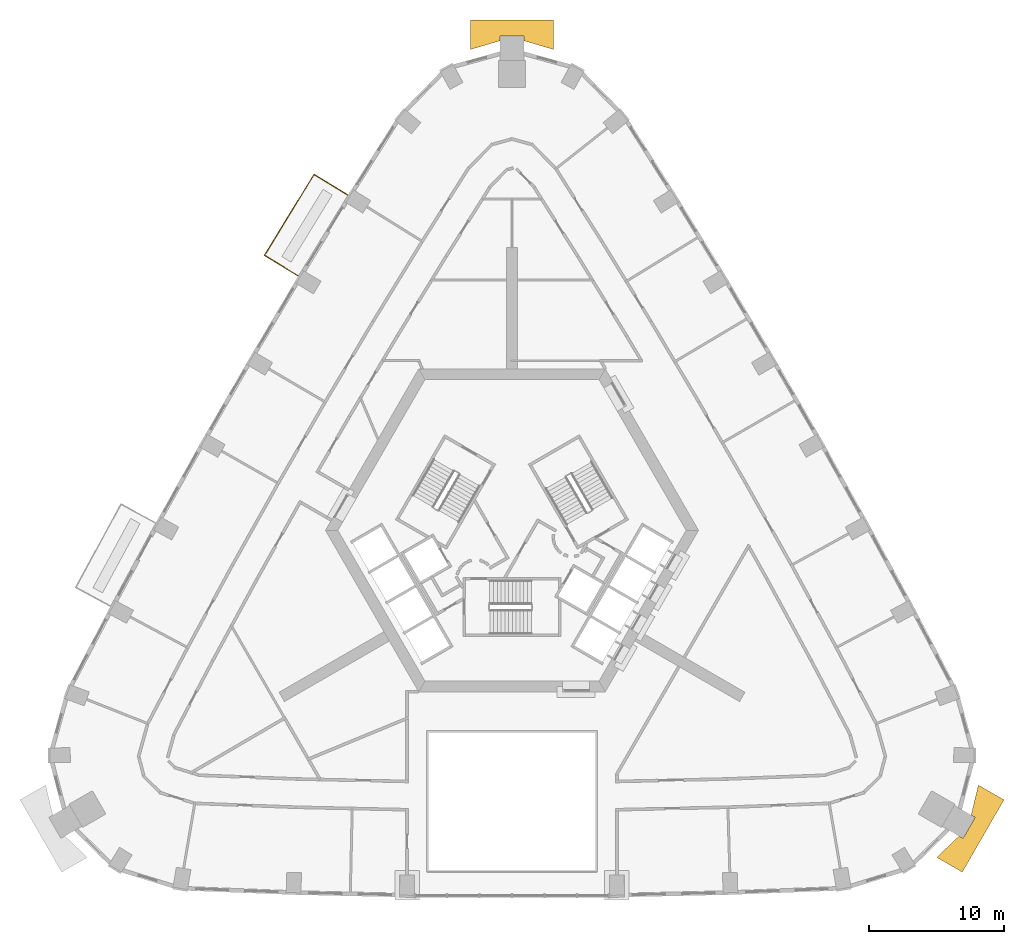
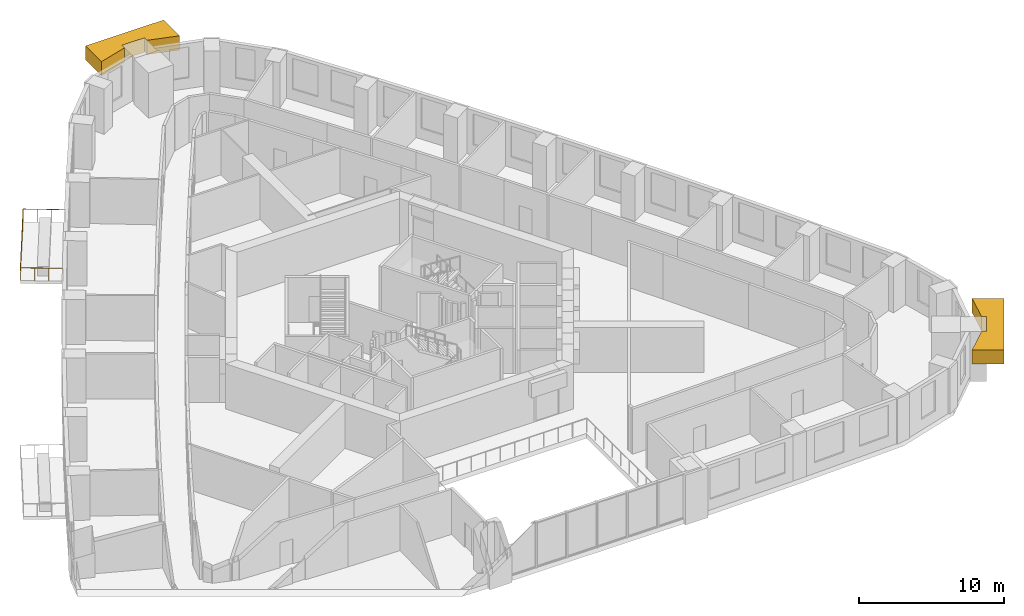
# One storey, part 14 of 14: 2 coverings, 1 railing.
"""IFC4 building model written with IfcOpenShell, lengths in metres."""

import ifcopenshell
import ifcopenshell.guid

model = None  # the IFC model being written
_history = None  # IfcOwnerHistory: only IFC2X3 demands one
_inside = {}  # id of a spatial element -> (the spatial element, [elements in it])
_under = {}  # id of a project, library or spatial element -> (it, [spatial elements below it])
_declared = {}  # id of a project -> (the project, [libraries it declares])
_typed = {}  # id of a type object -> (the type object, [elements of that type])
_made_of = {}  # id of a material, layer set ... -> (it, [elements and type objects made of it])


def new_model(schema):
    """Start an empty IFC model of exactly this schema.

    Asked for "IFC4X3", IfcOpenShell would pick the latest addendum, in which some entities
    have other attributes; the version numbers below select the first issue.
    IFC2X3 requires an IfcOwnerHistory on every rooted entity: one is made here for all.
    """
    global model, _history
    if schema == "IFC4X3":
        model = ifcopenshell.file(schema_version=(4, 3, 0, 0))
    else:
        model = ifcopenshell.file(schema=schema)
    _inside.clear()
    _under.clear()
    _declared.clear()
    _typed.clear()
    _made_of.clear()
    _history = None
    if model.schema == "IFC2X3":
        org = make("IfcOrganization", Name="unknown")
        user = make(
            "IfcPersonAndOrganization",
            ThePerson=make("IfcPerson", FamilyName="unknown"),
            TheOrganization=org,
        )
        app = make(
            "IfcApplication",
            ApplicationDeveloper=org,
            Version="unknown",
            ApplicationFullName="unknown",
            ApplicationIdentifier="unknown",
        )
        _history = make(
            "IfcOwnerHistory",
            OwningUser=user,
            OwningApplication=app,
            ChangeAction="ADDED",
            CreationDate=0,
        )
    return model


def make(cls, **values):
    """One entity of the class cls with the attributes given. An attribute that is None is left unset."""
    return model.create_entity(
        cls, **{name: value for name, value in values.items() if value is not None}
    )


def rooted(cls, **values):
    """An entity with a GlobalId (a new one), such as an element, a storey or a relation."""
    return make(cls, GlobalId=ifcopenshell.guid.new(), OwnerHistory=_history, **values)


def si_unit(unit_type, name, prefix=None):
    """IfcSIUnit, for example si_unit("LENGTHUNIT", "METRE", prefix="MILLI")."""
    return make("IfcSIUnit", UnitType=unit_type, Prefix=prefix, Name=name)


def assignment(units):
    """IfcUnitAssignment: the units of a project."""
    return None if units is None else make("IfcUnitAssignment", Units=units)


def point(xyz):
    """IfcCartesianPoint."""
    return None if xyz is None else make("IfcCartesianPoint", Coordinates=xyz)


def direction(xyz):
    """IfcDirection."""
    return None if xyz is None else make("IfcDirection", DirectionRatios=xyz)


def frame(location, z_axis=None, x_axis=None):
    """IfcAxis2Placement3D, a coordinate frame: its origin and axes. An axis left out is left unset."""
    return make(
        "IfcAxis2Placement3D",
        Location=point(location),
        Axis=direction(z_axis),
        RefDirection=direction(x_axis),
    )


def frame_2d(location, x_axis=None):
    """IfcAxis2Placement2D, a coordinate frame in the plane: its origin and x axis."""
    return make(
        "IfcAxis2Placement2D", Location=point(location), RefDirection=direction(x_axis)
    )


def origin():
    """The frame at (0, 0, 0) with its axes left unset."""
    return frame((0.0, 0.0, 0.0))


def origin_2d():
    """The frame at (0, 0) in the plane with its x axis left unset."""
    return frame_2d((0.0, 0.0))


def place(relative_to, where):
    """IfcLocalPlacement: puts the frame where relative to a parent placement (None: the world)."""
    return make(
        "IfcLocalPlacement", PlacementRelTo=relative_to, RelativePlacement=where
    )


def context(
    kind, dimensions, precision=None, world=None, true_north=None, identifier=None
):
    """IfcGeometricRepresentationContext, for example the 3D "Model" context."""
    return make(
        "IfcGeometricRepresentationContext",
        ContextIdentifier=identifier,
        ContextType=kind,
        CoordinateSpaceDimension=dimensions,
        Precision=precision,
        WorldCoordinateSystem=world,
        TrueNorth=true_north,
    )


def subcontext(parent, identifier, kind, view, scale=None):
    """IfcGeometricRepresentationSubContext, for example "Body" below "Model"."""
    return make(
        "IfcGeometricRepresentationSubContext",
        ContextIdentifier=identifier,
        ContextType=kind,
        ParentContext=parent,
        TargetScale=scale,
        TargetView=view,
    )


def project(units=None, contexts=None):
    """IfcProject with its units and contexts."""
    return rooted(
        "IfcProject",
        Name="project",
        RepresentationContexts=contexts,
        UnitsInContext=assignment(units),
    )


def spatial(cls, under=None, at=None, **own):
    """A site, building, storey or space (cls), placed at a placement, below another one or the project."""
    s = rooted(cls, ObjectPlacement=at, **own)
    if under is not None:
        _under.setdefault(under.id(), (under, []))[1].append(s)
    return s


def polyline(points):
    """IfcPolyline through the points."""
    return make("IfcPolyline", Points=[point(p) for p in points])


def profile(cls, at=None, kind="AREA", **sizes):
    """A parametric profile (cls). Its sizes go by their IFC names, for example OverallWidth=200.0."""
    return make(cls, ProfileType=kind, Position=at, **sizes)


def circle(**sizes):
    """IfcCircleProfileDef."""
    return profile("IfcCircleProfileDef", **sizes)


def outline(outer, holes=None, kind="AREA"):
    """IfcArbitraryClosedProfileDef: a profile drawn as a closed curve; with holes, ...WithVoids."""
    if holes is None:
        return make("IfcArbitraryClosedProfileDef", ProfileType=kind, OuterCurve=outer)
    return make(
        "IfcArbitraryProfileDefWithVoids",
        ProfileType=kind,
        OuterCurve=outer,
        InnerCurves=holes,
    )


def extrude(swept, where, along, depth):
    """IfcExtrudedAreaSolid: the profile swept, set in the frame where, extruded along a direction by depth."""
    return make(
        "IfcExtrudedAreaSolid",
        SweptArea=swept,
        Position=where,
        ExtrudedDirection=direction(along),
        Depth=depth,
    )


def shape(context_of_items, identifier, shape_type, items):
    """IfcShapeRepresentation: the items that make up one representation, for example the "Body"."""
    return make(
        "IfcShapeRepresentation",
        ContextOfItems=context_of_items,
        RepresentationIdentifier=identifier,
        RepresentationType=shape_type,
        Items=items,
    )


def material(Name=None, Category=None):
    """IfcMaterial."""
    return make("IfcMaterial", Name=Name, Category=Category)


def made_of(thing, what):
    """Note that an element or type object is made of a material, layer set ...; save() writes the relation."""
    if what is not None:
        _made_of.setdefault(what.id(), (what, []))[1].append(thing)
    return thing


def type_object(cls, material=None, **own):
    """A type object (cls), such as IfcWallType, which elements share."""
    return made_of(rooted(cls, **own), material)


def element(
    cls,
    number,
    at=None,
    inside=None,
    cuts=None,
    type_object=None,
    material=None,
    context=None,
    identifier="Body",
    shape_type=None,
    held_by="IfcProductDefinitionShape",
    body=None,
    shapes=None,
    **own,
):
    """One element of the class cls, such as IfcWall. Its Tag is "e" and its number.

    at: its placement. inside: the storey or other place that contains it. cuts: it is an
    opening in that element (IfcRelVoidsElement). A single representation is given by context,
    identifier, shape_type and body (its items); several are given by shapes. held_by: the class
    of the entity that holds the representations. save() writes the other relations.
    """
    e = rooted(cls, Tag="e%d" % number, ObjectPlacement=at, **own)
    if body is not None:
        shapes = [shape(context, identifier, shape_type, body)]
    if shapes is not None:
        e.Representation = make(held_by, Representations=shapes)
    if inside is not None:
        _inside.setdefault(inside.id(), (inside, []))[1].append(e)
    if cuts is not None:
        rooted(
            "IfcRelVoidsElement", RelatingBuildingElement=cuts, RelatedOpeningElement=e
        )
    if type_object is not None:
        _typed.setdefault(type_object.id(), (type_object, []))[1].append(e)
    return made_of(e, material)


def aggregate(whole, parts):
    """IfcRelAggregates: a whole, such as a stair, and the parts it consists of."""
    return rooted("IfcRelAggregates", RelatingObject=whole, RelatedObjects=parts)


def save(model, path):
    """Write the relations noted so far, then the file.

    IfcRelAggregates (storeys below a building ...), IfcRelContainedInSpatialStructure (elements
    in a storey), IfcRelDefinesByType, IfcRelAssociatesMaterial and IfcRelDeclares: one each for
    every whole, place, type object, material and project.
    """
    for whole, parts in _under.values():
        aggregate(whole, parts)
    for where, things in _inside.values():
        rooted(
            "IfcRelContainedInSpatialStructure",
            RelatedElements=things,
            RelatingStructure=where,
        )
    for kind, things in _typed.values():
        rooted("IfcRelDefinesByType", RelatedObjects=things, RelatingType=kind)
    for what, things in _made_of.values():
        rooted("IfcRelAssociatesMaterial", RelatedObjects=things, RelatingMaterial=what)
    for by, libraries in _declared.values():
        rooted("IfcRelDeclares", RelatingContext=by, RelatedDefinitions=libraries)
    model.write(path)


model = new_model("IFC4")

# Units and contexts
model_context = context("Model", 3, precision=1e-05, world=origin(), true_north=direction((0.0, 1.0)))
body_context = subcontext(model_context, "Body", "Model", "MODEL_VIEW")
ifc_project = project(units=[si_unit("LENGTHUNIT", "METRE"), si_unit("AREAUNIT", "SQUARE_METRE"), si_unit("VOLUMEUNIT", "CUBIC_METRE"), si_unit("PLANEANGLEUNIT", "RADIAN"), si_unit("MASSUNIT", "GRAM", prefix="KILO")], contexts=[model_context])

# Site, building, storey
site_placement = place(None, origin())
site = spatial("IfcSite", under=ifc_project, at=site_placement, CompositionType="ELEMENT")
building_placement = place(site_placement, origin())
building = spatial("IfcBuilding", under=site, at=building_placement, Name="Entoto Arch Interchange Tower", CompositionType="ELEMENT")
storey_placement = place(building_placement, frame((0.0, 0.0, 159.199951171875)))
storey = spatial("IfcBuildingStorey", under=building, at=storey_placement, Name="L35", CompositionType="ELEMENT", Elevation=159.199951171875)

# Railing
ifc_material_1 = material(Name="Stainless steel 1.4301", Category="steel")
railing_type = type_object("IfcRailingType", Name="GUARD 1100 STEEL AND GLASS", PredefinedType="GUARDRAIL", material=ifc_material_1)
railing_placement = place(storey_placement, frame((-12.18798828125, 27.405029296875, 0.0)))
element("IfcRailing", 1, at=railing_placement, inside=storey, type_object=railing_type, Name="Balcony guard NW-02 L35", PredefinedType="GUARDRAIL", context=body_context, shape_type="SweptSolid", body=[
    extrude(circle(Radius=0.02392578125, at=origin_2d()), frame((0.0, 0.0, 1.076171875), z_axis=(-0.852509652536, 0.522711480965, 0.0), x_axis=(-0.522711480965, -0.852509652536, 0.0)), (0.0, 0.0, 1.0), 2.949951171875),
    extrude(circle(Radius=0.02392578125, at=origin_2d()), frame((-2.514892578125, 1.5419921875, 1.076171875), z_axis=(-0.522759170442, -0.852480410167, 0.0), x_axis=(0.852480410167, -0.522759170442, 0.0)), (0.0, 0.0, 1.0), 7.05712890625),
    extrude(circle(Radius=0.02392578125, at=origin_2d()), frame((-6.2041015625, -4.47412109375, 1.076171875), z_axis=(0.852532262405, -0.522674603897, 0.0), x_axis=(0.522674603897, 0.852532262405, 0.0)), (0.0, 0.0, 1.0), 2.9501953125),
    extrude(circle(Radius=0.02099609375, at=origin_2d()), origin(), (0.0, 0.0, 1.0), 1.052001953125),
    extrude(circle(Radius=0.02099609375, at=origin_2d()), frame((-0.83837890625, 0.513916015625, 0.0)), (0.0, 0.0, 1.0), 1.052001953125),
    extrude(circle(Radius=0.02099609375, at=origin_2d()), frame((-1.676513671875, 1.028076171875, 0.0)), (0.0, 0.0, 1.0), 1.052001953125),
    extrude(circle(Radius=0.02099609375, at=origin_2d()), frame((-2.514892578125, 1.5419921875, 0.0)), (0.0, 0.0, 1.0), 1.052001953125),
    extrude(circle(Radius=0.02099609375, at=origin_2d()), frame((-3.1298828125, 0.539306640625, 0.0)), (0.0, 0.0, 1.0), 1.052001953125),
    extrude(circle(Radius=0.02099609375, at=origin_2d()), frame((-3.74462890625, -0.46337890625, 0.0)), (0.0, 0.0, 1.0), 1.052001953125),
    extrude(circle(Radius=0.02099609375, at=origin_2d()), frame((-4.359375, -1.466064453125, 0.0)), (0.0, 0.0, 1.0), 1.052001953125),
    extrude(circle(Radius=0.02099609375, at=origin_2d()), frame((-4.974365234375, -2.46875, 0.0)), (0.0, 0.0, 1.0), 1.052001953125),
    extrude(circle(Radius=0.02099609375, at=origin_2d()), frame((-5.58935546875, -3.471435546875, 0.0)), (0.0, 0.0, 1.0), 1.052001953125),
    extrude(circle(Radius=0.02099609375, at=origin_2d()), frame((-6.2041015625, -4.47412109375, 0.0)), (0.0, 0.0, 1.0), 1.052001953125),
    extrude(circle(Radius=0.02099609375, at=origin_2d()), frame((-5.36572265625, -4.988037109375, 0.0)), (0.0, 0.0, 1.0), 1.052001953125),
    extrude(circle(Radius=0.02099609375, at=origin_2d()), frame((-4.52734375, -5.502197265625, 0.0)), (0.0, 0.0, 1.0), 1.052001953125),
    extrude(circle(Radius=0.02099609375, at=origin_2d()), frame((-3.68896484375, -6.01611328125, 0.0)), (0.0, 0.0, 1.0), 1.052001953125),
])

# Coverings
ifc_material_2 = material(Name="Board-marked precast concrete C50/60", Category="concrete")
covering_type = type_object("IfcCoveringType", Name="PRECAST FRAME COURSE", PredefinedType="CLADDING", material=ifc_material_2)
covering_1_placement = place(storey_placement, frame((0.0, 0.0, 2.60009765625)))
element("IfcCovering", 2, at=covering_1_placement, inside=storey, type_object=covering_type, Name="Corner pilaster head SE L33-L35", PredefinedType="CLADDING", context=body_context, shape_type="SweptSolid", body=[
    extrude(outline(polyline([(36.549072265625, -17.52099609375), (33.448974609375, -22.89111328125), (31.5458984375, -21.7919921875), (33.208984375, -20.2119140625), (33.509033203125, -20.385009765625), (34.408935546875, -18.826904296875), (34.10888671875, -18.653076171875), (34.64599609375, -16.423095703125), (36.549072265625, -17.52099609375)])), origin(), (0.0, 0.0, 1.0), 1.199951171875),
])
covering_2_placement = place(storey_placement, frame((0.0, 0.0, 2.60009765625)))
element("IfcCovering", 3, at=covering_2_placement, inside=storey, type_object=covering_type, Name="Corner pilaster head N L33-L35", PredefinedType="CLADDING", context=body_context, shape_type="SweptSolid", body=[
    extrude(outline(polyline([(-3.10009765625, 40.412109375), (3.10009765625, 40.412109375), (3.10009765625, 38.216064453125), (0.89990234375, 38.864990234375), (0.89990234375, 39.2119140625), (-0.89990234375, 39.2119140625), (-0.89990234375, 38.864990234375), (-3.10009765625, 38.216064453125), (-3.10009765625, 40.412109375)])), origin(), (0.0, 0.0, 1.0), 1.199951171875),
])

save(model, "model.ifc")
